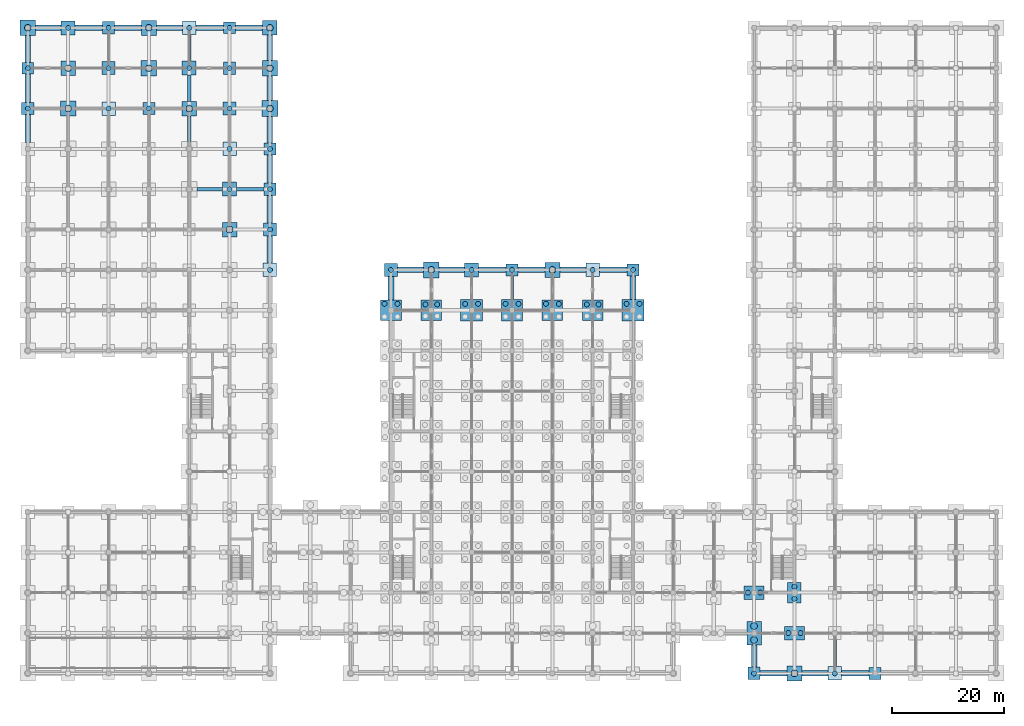
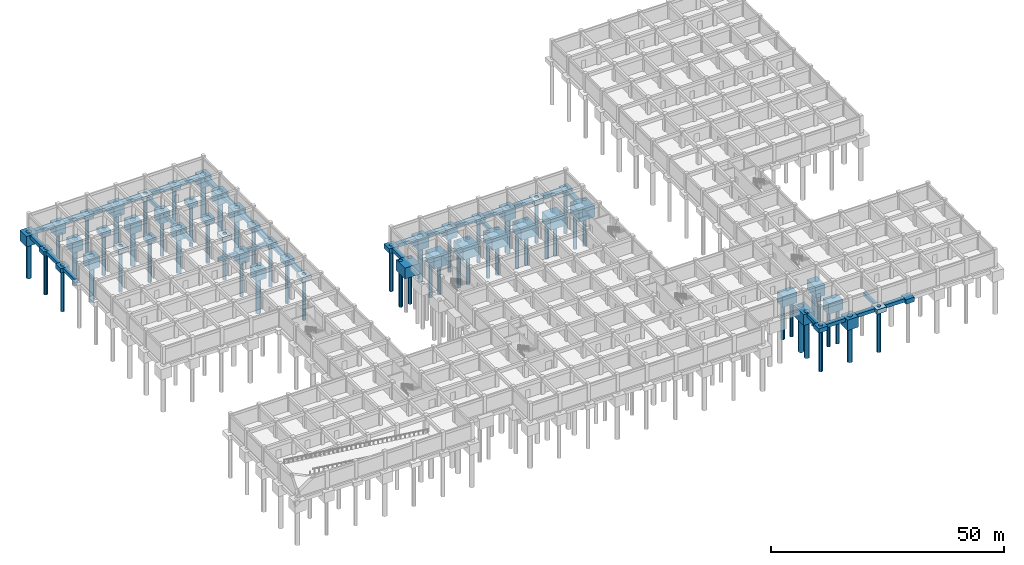
# One storey, part 5 of 25: 84 footings, 60 piles.
"""IFC4 building model written with IfcOpenShell, lengths in metres."""

from ifc_helpers import new_model, si_unit, direction, frame, origin, origin_2d, place, context, subcontext, project, spatial, rectangle, circle, extrude, material, material_profile, profile_set, type_object, element, save


model = new_model("IFC4")

# Units and contexts
model_context = context("Model", 3, precision=1e-05, world=origin(), true_north=direction((0.0, 1.0)))
body_context = subcontext(model_context, "Body", "Model", "MODEL_VIEW")
ifc_project = project(units=[si_unit("LENGTHUNIT", "METRE"), si_unit("AREAUNIT", "SQUARE_METRE"), si_unit("VOLUMEUNIT", "CUBIC_METRE"), si_unit("PLANEANGLEUNIT", "RADIAN"), si_unit("MASSUNIT", "GRAM", prefix="KILO")], contexts=[model_context])

# Site, building, storey
site_placement = place(None, origin())
site = spatial("IfcSite", under=ifc_project, at=site_placement, CompositionType="ELEMENT")
building_placement = place(site_placement, origin())
building = spatial("IfcBuilding", under=site, at=building_placement, Name="Cendaluz Park School", CompositionType="ELEMENT")
storey_placement = place(building_placement, frame((0.0, 0.0, -4.5)))
storey = spatial("IfcBuildingStorey", under=building, at=storey_placement, Name="B1", CompositionType="ELEMENT", Elevation=-4.5)

# Piles
ifc_material = material(Name="Concrete C40/50", Category="concrete")
ifc_material_profile_1 = material_profile(ifc_material, circle(Radius=0.449951171875, at=origin_2d()), Name="BP D900", Category="concrete")
ifc_profile_set_1 = profile_set([ifc_material_profile_1], Name="Concrete C40/50")
pile_type_1 = type_object("IfcPileType", Name="BP-01", PredefinedType="BORED", material=ifc_profile_set_1)
for number, where, z_axis, x_axis, name in (
    (1, (0.0, 100.800048828125, -0.5), (0.0, 0.0, -1.0), (1.0, 0.0, 0.0), "PL-B1-012"),
    (2, (0.0, 108.0, -0.5), (0.0, 0.0, -1.0), (1.0, 0.0, 0.0), "PL-B1-013"),
    (3, (7.199951171875, 115.199951171875, -0.5), (0.0, 0.0, -1.0), (1.0, 0.0, 0.0), "PL-B1-028"),
    (4, (14.39990234375, 100.800048828125, -0.5), (0.0, 0.0, -1.0), (1.0, 0.0, 0.0), "PL-B1-040"),
    (5, (14.39990234375, 108.0, -0.5), (0.0, 0.0, -1.0), (1.0, 0.0, 0.0), "PL-B1-041"),
    (6, (14.39990234375, 115.199951171875, -0.5), (0.0, 0.0, -1.0), (1.0, 0.0, 0.0), "PL-B1-042"),
    (7, (21.60009765625, 100.800048828125, -0.5), (0.0, 0.0, -1.0), (1.0, 0.0, 0.0), "PL-B1-054"),
    (8, (28.800048828125, 108.0, -0.5), (0.0, 0.0, -1.0), (1.0, 0.0, 0.0), "PL-B1-072"),
    (9, (28.800048828125, 115.199951171875, -0.5), (0.0, 0.0, -1.0), (1.0, 0.0, 0.0), "PL-B1-073"),
    (10, (36.0, 86.39990234375, -0.5), (0.0, 0.0, -1.0), (1.0, 0.0, 0.0), "PL-B1-090"),
    (11, (36.0, 93.60009765625, -0.5), (0.0, 0.0, -1.0), (1.0, 0.0, 0.0), "PL-B1-091"),
    (12, (36.0, 100.800048828125, -0.5), (0.0, 0.0, -1.0), (1.0, 0.0, 0.0), "PL-B1-092"),
    (13, (36.0, 108.0, -0.5), (0.0, 0.0, -1.0), (1.0, 0.0, 0.0), "PL-B1-093"),
    (14, (36.0, 115.199951171875, -0.5), (0.0, 0.0, -1.0), (1.0, 0.0, 0.0), "PL-B1-094"),
    (15, (43.199951171875, 72.0, -0.5), (0.0, 0.0, -1.0), (1.0, 0.0, 0.0), "PL-B1-109"),
    (16, (43.199951171875, 79.199951171875, -0.5), (0.0, 0.0, -1.0), (1.0, 0.0, 0.0), "PL-B1-110"),
    (17, (43.199951171875, 86.39990234375, -0.5), (0.0, 0.0, -1.0), (1.0, 0.0, 0.0), "PL-B1-111"),
    (18, (43.199951171875, 93.60009765625, -0.5), (0.0, 0.0, -1.0), (1.0, 0.0, 0.0), "PL-B1-112"),
    (19, (63.64990234375, 65.949951171875, -0.5), (0.0, 0.0, -1.0), (1.0, 0.0, 0.0), "PL-B1-166"),
    (20, (65.949951171875, 65.949951171875, -0.5), (0.0, 0.0, -1.0), (1.0, 0.0, 0.0), "PL-B1-167"),
    (21, (64.800048828125, 72.0, -0.5), (0.0, 0.0, -1.0), (1.0, 0.0, 0.0), "PL-B1-168"),
    (22, (70.949951171875, 65.85009765625, -0.5), (0.0, 0.0, -1.0), (1.0, 0.0, 0.0), "PL-B1-202"),
    (23, (73.050048828125, 65.85009765625, -0.5), (0.0, 0.0, -1.0), (1.0, 0.0, 0.0), "PL-B1-203"),
    (24, (78.050048828125, 65.949951171875, -0.5), (0.0, 0.0, -1.0), (1.0, 0.0, 0.0), "PL-B1-238"),
    (25, (80.35009765625, 65.949951171875, -0.5), (0.0, 0.0, -1.0), (1.0, 0.0, 0.0), "PL-B1-239"),
    (26, (79.199951171875, 72.0, -0.5), (0.0, 0.0, -1.0), (1.0, 0.0, 0.0), "PL-B1-240"),
    (27, (85.25, 65.949951171875, -0.5), (0.0, 0.0, -1.0), (1.0, 0.0, 0.0), "PL-B1-274"),
    (28, (87.550048828125, 65.949951171875, -0.5), (0.0, 0.0, -1.0), (1.0, 0.0, 0.0), "PL-B1-275"),
    (29, (86.39990234375, 72.0, -0.5), (0.0, 0.0, -1.0), (1.0, 0.0, 0.0), "PL-B1-276"),
    (30, (92.449951171875, 65.949951171875, -0.5), (0.0, 0.0, -1.0), (1.0, 0.0, 0.0), "PL-B1-310"),
    (31, (94.75, 65.949951171875, -0.5), (0.0, 0.0, -1.0), (1.0, 0.0, 0.0), "PL-B1-311"),
    (32, (99.75, 65.85009765625, -0.5), (0.0, 0.0, -1.0), (1.0, 0.0, 0.0), "PL-B1-346"),
    (33, (101.85009765625, 65.85009765625, -0.5), (0.0, 0.0, -1.0), (1.0, 0.0, 0.0), "PL-B1-347"),
    (34, (100.800048828125, 72.0, -0.5), (0.0, 0.0, -1.0), (1.0, 0.0, 0.0), "PL-B1-348"),
    (35, (106.85009765625, 65.949951171875, -0.5), (0.0, 0.0, -1.0), (1.0, 0.0, 0.0), "PL-B1-382"),
    (36, (109.14990234375, 65.949951171875, -0.5), (0.0, 0.0, -1.0), (1.0, 0.0, 0.0), "PL-B1-383"),
    (37, (108.0, 72.0, -0.5), (0.0, 0.0, -1.0), (1.0, 0.0, 0.0), "PL-B1-384"),
    (38, (129.60009765625, 0.0, -0.5), (0.0, 0.0, -1.0), (1.0, 0.0, 0.0), "PL-B1-402"),
    (39, (128.5, 14.39990234375, -0.5), (0.0, 0.0, -1.0), (1.0, 0.0, 0.0), "PL-B1-405"),
    (40, (130.699951171875, 14.39990234375, -0.5), (0.0, 0.0, -1.0), (1.0, 0.0, 0.0), "PL-B1-406"),
    (41, (135.699951171875, 7.199951171875, -0.5), (0.0, 0.0, -1.0), (1.0, 0.0, 0.0), "PL-B1-424"),
    (42, (137.89990234375, 7.199951171875, -0.5), (0.0, 0.0, -1.0), (1.0, 0.0, 0.0), "PL-B1-425"),
    (43, (136.800048828125, 13.300048828125, -0.5), (0.0, 0.0, -1.0), (1.0, 0.0, 0.0), "PL-B1-426"),
    (44, (136.800048828125, 15.5, -0.5), (0.0, 0.0, -1.0), (1.0, 0.0, 0.0), "PL-B1-427"),
    (45, (144.0, 0.0, -0.5), (0.0, 0.0, -1.0), (1.0, 0.0, 0.0), "PL-B1-444"),
):
    element("IfcPile", number, at=place(storey_placement, frame(where, z_axis=z_axis, x_axis=x_axis)), inside=storey, type_object=pile_type_1, Name=name, PredefinedType="BORED", context=body_context, shape_type="SweptSolid", body=[
        extrude(circle(Radius=0.449951171875, at=origin_2d()), origin(), (0.0, 0.0, 1.0), 12.0),
    ])
ifc_material_profile_2 = material_profile(ifc_material, circle(Radius=0.60009765625, at=origin_2d()), Name="BP D1200", Category="concrete")
ifc_profile_set_2 = profile_set([ifc_material_profile_2], Name="Concrete C40/50")
pile_type_2 = type_object("IfcPileType", Name="BP-02", PredefinedType="BORED", material=ifc_profile_set_2)
for number, where, z_axis, x_axis, name in (
    (46, (0.0, 115.199951171875, -0.5), (0.0, 0.0, -1.0), (1.0, 0.0, 0.0), "PL-B1-014"),
    (47, (7.199951171875, 100.800048828125, -0.5), (0.0, 0.0, -1.0), (1.0, 0.0, 0.0), "PL-B1-026"),
    (48, (7.199951171875, 108.0, -0.5), (0.0, 0.0, -1.0), (1.0, 0.0, 0.0), "PL-B1-027"),
    (49, (21.60009765625, 108.0, -0.5), (0.0, 0.0, -1.0), (1.0, 0.0, 0.0), "PL-B1-055"),
    (50, (21.60009765625, 115.199951171875, -0.5), (0.0, 0.0, -1.0), (1.0, 0.0, 0.0), "PL-B1-056"),
    (51, (28.800048828125, 100.800048828125, -0.5), (0.0, 0.0, -1.0), (1.0, 0.0, 0.0), "PL-B1-071"),
    (52, (36.0, 79.199951171875, -0.5), (0.0, 0.0, -1.0), (1.0, 0.0, 0.0), "PL-B1-089"),
    (53, (43.199951171875, 100.800048828125, -0.5), (0.0, 0.0, -1.0), (1.0, 0.0, 0.0), "PL-B1-113"),
    (54, (43.199951171875, 108.0, -0.5), (0.0, 0.0, -1.0), (1.0, 0.0, 0.0), "PL-B1-114"),
    (55, (43.199951171875, 115.199951171875, -0.5), (0.0, 0.0, -1.0), (1.0, 0.0, 0.0), "PL-B1-115"),
    (56, (72.0, 72.0, -0.5), (0.0, 0.0, -1.0), (1.0, 0.0, 0.0), "PL-B1-204"),
    (57, (93.60009765625, 72.0, -0.5), (0.0, 0.0, -1.0), (1.0, 0.0, 0.0), "PL-B1-312"),
    (58, (129.60009765625, 5.949951171875, -0.5), (0.0, 0.0, -1.0), (1.0, 0.0, 0.0), "PL-B1-403"),
    (59, (129.60009765625, 8.449951171875, -0.5), (0.0, 0.0, -1.0), (1.0, 0.0, 0.0), "PL-B1-404"),
    (60, (136.800048828125, 0.0, -0.5), (0.0, 0.0, -1.0), (1.0, 0.0, 0.0), "PL-B1-423"),
):
    element("IfcPile", number, at=place(storey_placement, frame(where, z_axis=z_axis, x_axis=x_axis)), inside=storey, type_object=pile_type_2, Name=name, PredefinedType="BORED", context=body_context, shape_type="SweptSolid", body=[
        extrude(circle(Radius=0.60009765625, at=origin_2d()), origin(), (0.0, 0.0, 1.0), 12.0),
    ])

# Footings
footing_type_1 = type_object("IfcFootingType", Name="FB-X455", PredefinedType="FOOTING_BEAM", material=ifc_material)
footing_1_placement = place(storey_placement, frame((32.47509765625, 86.39990234375, -1.39990234375), z_axis=(0.0, 0.0, 1.0), x_axis=(1.0, 0.0, 0.0)))
element("IfcFooting", 61, at=footing_1_placement, inside=storey, type_object=footing_type_1, Name="FT-B1-333", PredefinedType="FOOTING_BEAM", context=body_context, shape_type="SweptSolid", body=[
    extrude(rectangle(XDim=4.550048828125, YDim=0.60009765625, at=origin_2d()), origin(), (0.0, 0.0, 1.0), 0.89990234375),
])
footing_type_2 = type_object("IfcFootingType", Name="FB-X485", PredefinedType="FOOTING_BEAM", material=ifc_material)
footing_2_placement = place(storey_placement, frame((39.675048828125, 86.39990234375, -1.39990234375), z_axis=(0.0, 0.0, 1.0), x_axis=(1.0, 0.0, 0.0)))
element("IfcFooting", 62, at=footing_2_placement, inside=storey, type_object=footing_type_2, Name="FT-B1-338", PredefinedType="FOOTING_BEAM", context=body_context, shape_type="SweptSolid", body=[
    extrude(rectangle(XDim=4.85009765625, YDim=0.60009765625, at=origin_2d()), origin(), (0.0, 0.0, 1.0), 0.89990234375),
])
footing_type_3 = type_object("IfcFootingType", Name="FB-Y420", PredefinedType="FOOTING_BEAM", material=ifc_material)
footing_3_placement = place(storey_placement, frame((86.39990234375, 68.800048828125, -1.39990234375), z_axis=(0.0, 0.0, 1.0), x_axis=(1.0, 0.0, 0.0)))
element("IfcFooting", 63, at=footing_3_placement, inside=storey, type_object=footing_type_3, Name="FT-B1-466", PredefinedType="FOOTING_BEAM", context=body_context, shape_type="SweptSolid", body=[
    extrude(rectangle(XDim=0.60009765625, YDim=4.199951171875, at=origin_2d()), origin(), (0.0, 0.0, 1.0), 0.89990234375),
])
footing_type_4 = type_object("IfcFootingType", Name="FB-Y455", PredefinedType="FOOTING_BEAM", material=ifc_material)
footing_4_placement = place(storey_placement, frame((28.800048828125, 97.22509765625, -1.39990234375), z_axis=(0.0, 0.0, 1.0), x_axis=(1.0, 0.0, 0.0)))
element("IfcFooting", 64, at=footing_4_placement, inside=storey, type_object=footing_type_4, Name="FT-B1-431", PredefinedType="FOOTING_BEAM", context=body_context, shape_type="SweptSolid", body=[
    extrude(rectangle(XDim=0.60009765625, YDim=4.550048828125, at=origin_2d()), origin(), (0.0, 0.0, 1.0), 0.89990234375),
])
footing_type_5 = type_object("IfcFootingType", Name="FB-Y465", PredefinedType="FOOTING_BEAM", material=ifc_material)
footing_5_placement = place(storey_placement, frame((28.800048828125, 104.425048828125, -1.39990234375), z_axis=(0.0, 0.0, 1.0), x_axis=(1.0, 0.0, 0.0)))
element("IfcFooting", 65, at=footing_5_placement, inside=storey, type_object=footing_type_5, Name="FT-B1-432", PredefinedType="FOOTING_BEAM", context=body_context, shape_type="SweptSolid", body=[
    extrude(rectangle(XDim=0.60009765625, YDim=4.64990234375, at=origin_2d()), origin(), (0.0, 0.0, 1.0), 0.89990234375),
])
footing_type_6 = type_object("IfcFootingType", Name="FB-Y475", PredefinedType="FOOTING_BEAM", material=ifc_material)
footing_6_placement = place(storey_placement, frame((28.800048828125, 111.625, -1.39990234375), z_axis=(0.0, 0.0, 1.0), x_axis=(1.0, 0.0, 0.0)))
element("IfcFooting", 66, at=footing_6_placement, inside=storey, type_object=footing_type_6, Name="FT-B1-433", PredefinedType="FOOTING_BEAM", context=body_context, shape_type="SweptSolid", body=[
    extrude(rectangle(XDim=0.60009765625, YDim=4.75, at=origin_2d()), origin(), (0.0, 0.0, 1.0), 0.89990234375),
])
footing_type_7 = type_object("IfcFootingType", Name="FB-Y485", PredefinedType="FOOTING_BEAM", material=ifc_material)
footing_7_placement = place(storey_placement, frame((144.0, 3.625, -1.39990234375), z_axis=(0.0, 0.0, 1.0), x_axis=(1.0, 0.0, 0.0)))
element("IfcFooting", 67, at=footing_7_placement, inside=storey, type_object=footing_type_7, Name="FT-B1-490", PredefinedType="FOOTING_BEAM", context=body_context, shape_type="SweptSolid", body=[
    extrude(rectangle(XDim=0.60009765625, YDim=4.85009765625, at=origin_2d()), origin(), (0.0, 0.0, 1.0), 0.89990234375),
])
footing_type_8 = type_object("IfcFootingType", Name="PC-01", PredefinedType="PILE_CAP", material=ifc_material)
for number, where, z_axis, x_axis, name in (
    (68, (79.199951171875, 64.800048828125, -3.4501953125), (0.0, 0.0, 1.0), (1.0, 0.0, 0.0), "FT-B1-148"),
    (69, (108.0, 64.800048828125, -3.4501953125), (0.0, 0.0, 1.0), (1.0, 0.0, 0.0), "FT-B1-192"),
):
    element("IfcFooting", number, at=place(storey_placement, frame(where, z_axis=z_axis, x_axis=x_axis)), inside=storey, type_object=footing_type_8, Name=name, PredefinedType="PILE_CAP", context=body_context, shape_type="SweptSolid", body=[
        extrude(rectangle(XDim=3.89990234375, YDim=3.89990234375, at=origin_2d()), origin(), (0.0, 0.0, 1.0), 2.949951171875),
    ])
footing_type_9 = type_object("IfcFootingType", Name="PC-02", PredefinedType="PILE_CAP", material=ifc_material)
footing_8_placement = place(storey_placement, frame((86.39990234375, 64.800048828125, -3.39990234375), z_axis=(0.0, 0.0, 1.0), x_axis=(1.0, 0.0, 0.0)))
element("IfcFooting", 70, at=footing_8_placement, inside=storey, type_object=footing_type_9, Name="FT-B1-159", PredefinedType="PILE_CAP", context=body_context, shape_type="SweptSolid", body=[
    extrude(rectangle(XDim=3.800048828125, YDim=3.800048828125, at=origin_2d()), origin(), (0.0, 0.0, 1.0), 2.89990234375),
])
footing_type_10 = type_object("IfcFootingType", Name="PC-03", PredefinedType="PILE_CAP", material=ifc_material)
for number, where, z_axis, x_axis, name in (
    (71, (64.800048828125, 64.800048828125, -3.35009765625), (0.0, 0.0, 1.0), (1.0, 0.0, 0.0), "FT-B1-126"),
    (72, (93.60009765625, 64.800048828125, -3.35009765625), (0.0, 0.0, 1.0), (1.0, 0.0, 0.0), "FT-B1-170"),
):
    element("IfcFooting", number, at=place(storey_placement, frame(where, z_axis=z_axis, x_axis=x_axis)), inside=storey, type_object=footing_type_10, Name=name, PredefinedType="PILE_CAP", context=body_context, shape_type="SweptSolid", body=[
        extrude(rectangle(XDim=3.699951171875, YDim=3.699951171875, at=origin_2d()), origin(), (0.0, 0.0, 1.0), 2.85009765625),
    ])
footing_type_11 = type_object("IfcFootingType", Name="PC-04", PredefinedType="PILE_CAP", material=ifc_material)
for number, where, z_axis, x_axis, name in (
    (73, (72.0, 64.800048828125, -3.2998046875), (0.0, 0.0, 1.0), (1.0, 0.0, 0.0), "FT-B1-137"),
    (74, (100.800048828125, 64.800048828125, -3.2998046875), (0.0, 0.0, 1.0), (1.0, 0.0, 0.0), "FT-B1-181"),
):
    element("IfcFooting", number, at=place(storey_placement, frame(where, z_axis=z_axis, x_axis=x_axis)), inside=storey, type_object=footing_type_11, Name=name, PredefinedType="PILE_CAP", context=body_context, shape_type="SweptSolid", body=[
        extrude(rectangle(XDim=3.60009765625, YDim=3.60009765625, at=origin_2d()), origin(), (0.0, 0.0, 1.0), 2.800048828125),
    ])
footing_type_12 = type_object("IfcFootingType", Name="PC-05", PredefinedType="PILE_CAP", material=ifc_material)
for number, where, z_axis, x_axis, name in (
    (75, (129.60009765625, 14.39990234375, -3.2998046875), (0.0, 0.0, 1.0), (1.0, 0.0, 0.0), "FT-B1-205"),
    (76, (136.800048828125, 7.199951171875, -3.2998046875), (0.0, 0.0, 1.0), (1.0, 0.0, 0.0), "FT-B1-221"),
):
    element("IfcFooting", number, at=place(storey_placement, frame(where, z_axis=z_axis, x_axis=x_axis)), inside=storey, type_object=footing_type_12, Name=name, PredefinedType="PILE_CAP", context=body_context, shape_type="SweptSolid", body=[
        extrude(rectangle(XDim=3.60009765625, YDim=2.39990234375, at=origin_2d()), origin(), (0.0, 0.0, 1.0), 2.800048828125),
    ])
footing_type_13 = type_object("IfcFootingType", Name="PC-06", PredefinedType="PILE_CAP", material=ifc_material)
footing_9_placement = place(storey_placement, frame((136.800048828125, 14.39990234375, -3.2998046875), z_axis=(0.0, 0.0, 1.0), x_axis=(1.0, 0.0, 0.0)))
element("IfcFooting", 77, at=footing_9_placement, inside=storey, type_object=footing_type_13, Name="FT-B1-222", PredefinedType="PILE_CAP", context=body_context, shape_type="SweptSolid", body=[
    extrude(rectangle(XDim=2.39990234375, YDim=3.60009765625, at=origin_2d()), origin(), (0.0, 0.0, 1.0), 2.800048828125),
])
footing_type_14 = type_object("IfcFootingType", Name="PC-08", PredefinedType="PILE_CAP", material=ifc_material)
footing_10_placement = place(storey_placement, frame((129.60009765625, 7.199951171875, -3.35009765625), z_axis=(0.0, 0.0, 1.0), x_axis=(1.0, 0.0, 0.0)))
element("IfcFooting", 78, at=footing_10_placement, inside=storey, type_object=footing_type_14, Name="FT-B1-204", PredefinedType="PILE_CAP", context=body_context, shape_type="SweptSolid", body=[
    extrude(rectangle(XDim=2.60009765625, YDim=4.199951171875, at=origin_2d()), origin(), (0.0, 0.0, 1.0), 2.85009765625),
])
footing_type_15 = type_object("IfcFootingType", Name="PC-09", PredefinedType="PILE_CAP", material=ifc_material)
for number, where, z_axis, x_axis, name in (
    (79, (0.0, 115.199951171875, -3.25), (0.0, 0.0, 1.0), (1.0, 0.0, 0.0), "FT-B1-014"),
    (80, (21.60009765625, 108.0, -3.25), (0.0, 0.0, 1.0), (1.0, 0.0, 0.0), "FT-B1-055"),
    (81, (43.199951171875, 100.800048828125, -3.25), (0.0, 0.0, 1.0), (1.0, 0.0, 0.0), "FT-B1-105"),
    (82, (72.0, 72.0, -3.25), (0.0, 0.0, 1.0), (1.0, 0.0, 0.0), "FT-B1-138"),
):
    element("IfcFooting", number, at=place(storey_placement, frame(where, z_axis=z_axis, x_axis=x_axis)), inside=storey, type_object=footing_type_15, Name=name, PredefinedType="PILE_CAP", context=body_context, shape_type="SweptSolid", body=[
        extrude(rectangle(XDim=2.800048828125, YDim=2.800048828125, at=origin_2d()), origin(), (0.0, 0.0, 1.0), 2.75),
    ])
footing_type_16 = type_object("IfcFootingType", Name="PC-10", PredefinedType="PILE_CAP", material=ifc_material)
for number, where, z_axis, x_axis, name in (
    (83, (7.199951171875, 100.800048828125, -3.25), (0.0, 0.0, 1.0), (1.0, 0.0, 0.0), "FT-B1-026"),
    (84, (21.60009765625, 115.199951171875, -3.25), (0.0, 0.0, 1.0), (1.0, 0.0, 0.0), "FT-B1-056"),
    (85, (43.199951171875, 108.0, -3.25), (0.0, 0.0, 1.0), (1.0, 0.0, 0.0), "FT-B1-106"),
    (86, (93.60009765625, 72.0, -3.25), (0.0, 0.0, 1.0), (1.0, 0.0, 0.0), "FT-B1-171"),
    (87, (136.800048828125, 0.0, -3.25), (0.0, 0.0, 1.0), (1.0, 0.0, 0.0), "FT-B1-220"),
):
    element("IfcFooting", number, at=place(storey_placement, frame(where, z_axis=z_axis, x_axis=x_axis)), inside=storey, type_object=footing_type_16, Name=name, PredefinedType="PILE_CAP", context=body_context, shape_type="SweptSolid", body=[
        extrude(rectangle(XDim=2.699951171875, YDim=2.699951171875, at=origin_2d()), origin(), (0.0, 0.0, 1.0), 2.75),
    ])
footing_type_17 = type_object("IfcFootingType", Name="PC-11", PredefinedType="PILE_CAP", material=ifc_material)
for number, where, z_axis, x_axis, name in (
    (88, (7.199951171875, 108.0, -3.2001953125), (0.0, 0.0, 1.0), (1.0, 0.0, 0.0), "FT-B1-027"),
    (89, (28.800048828125, 100.800048828125, -3.2001953125), (0.0, 0.0, 1.0), (1.0, 0.0, 0.0), "FT-B1-071"),
    (90, (36.0, 79.199951171875, -3.2001953125), (0.0, 0.0, 1.0), (1.0, 0.0, 0.0), "FT-B1-085"),
    (91, (43.199951171875, 115.199951171875, -3.2001953125), (0.0, 0.0, 1.0), (1.0, 0.0, 0.0), "FT-B1-107"),
):
    element("IfcFooting", number, at=place(storey_placement, frame(where, z_axis=z_axis, x_axis=x_axis)), inside=storey, type_object=footing_type_17, Name=name, PredefinedType="PILE_CAP", context=body_context, shape_type="SweptSolid", body=[
        extrude(rectangle(XDim=2.60009765625, YDim=2.60009765625, at=origin_2d()), origin(), (0.0, 0.0, 1.0), 2.699951171875),
    ])
footing_type_18 = type_object("IfcFootingType", Name="PC-12", PredefinedType="PILE_CAP", material=ifc_material)
for number, where, z_axis, x_axis, name in (
    (92, (7.199951171875, 115.199951171875, -3.2001953125), (0.0, 0.0, 1.0), (1.0, 0.0, 0.0), "FT-B1-028"),
    (93, (28.800048828125, 108.0, -3.2001953125), (0.0, 0.0, 1.0), (1.0, 0.0, 0.0), "FT-B1-072"),
    (94, (36.0, 86.39990234375, -3.2001953125), (0.0, 0.0, 1.0), (1.0, 0.0, 0.0), "FT-B1-086"),
    (95, (79.199951171875, 72.0, -3.2001953125), (0.0, 0.0, 1.0), (1.0, 0.0, 0.0), "FT-B1-149"),
):
    element("IfcFooting", number, at=place(storey_placement, frame(where, z_axis=z_axis, x_axis=x_axis)), inside=storey, type_object=footing_type_18, Name=name, PredefinedType="PILE_CAP", context=body_context, shape_type="SweptSolid", body=[
        extrude(rectangle(XDim=2.5, YDim=2.5, at=origin_2d()), origin(), (0.0, 0.0, 1.0), 2.699951171875),
    ])
footing_type_19 = type_object("IfcFootingType", Name="PC-13", PredefinedType="PILE_CAP", material=ifc_material)
for number, where, z_axis, x_axis, name in (
    (96, (14.39990234375, 100.800048828125, -1.7001953125), (0.0, 0.0, 1.0), (1.0, 0.0, 0.0), "FT-B1-040"),
    (97, (28.800048828125, 115.199951171875, -1.7001953125), (0.0, 0.0, 1.0), (1.0, 0.0, 0.0), "FT-B1-073"),
    (98, (36.0, 93.60009765625, -1.7001953125), (0.0, 0.0, 1.0), (1.0, 0.0, 0.0), "FT-B1-087"),
    (99, (43.199951171875, 72.0, -1.7001953125), (0.0, 0.0, 1.0), (1.0, 0.0, 0.0), "FT-B1-101"),
    (100, (100.800048828125, 72.0, -1.7001953125), (0.0, 0.0, 1.0), (1.0, 0.0, 0.0), "FT-B1-182"),
    (101, (144.0, 0.0, -1.7001953125), (0.0, 0.0, 1.0), (1.0, 0.0, 0.0), "FT-B1-237"),
):
    element("IfcFooting", number, at=place(storey_placement, frame(where, z_axis=z_axis, x_axis=x_axis)), inside=storey, type_object=footing_type_19, Name=name, PredefinedType="PILE_CAP", context=body_context, shape_type="SweptSolid", body=[
        extrude(rectangle(XDim=2.39990234375, YDim=2.39990234375, at=origin_2d()), origin(), (0.0, 0.0, 1.0), 1.199951171875),
    ])
footing_type_20 = type_object("IfcFootingType", Name="PC-14", PredefinedType="PILE_CAP", material=ifc_material)
for number, where, z_axis, x_axis, name in (
    (102, (14.39990234375, 108.0, -1.7001953125), (0.0, 0.0, 1.0), (1.0, 0.0, 0.0), "FT-B1-041"),
    (103, (36.0, 100.800048828125, -1.7001953125), (0.0, 0.0, 1.0), (1.0, 0.0, 0.0), "FT-B1-088"),
    (104, (43.199951171875, 79.199951171875, -1.7001953125), (0.0, 0.0, 1.0), (1.0, 0.0, 0.0), "FT-B1-102"),
    (105, (64.800048828125, 72.0, -1.7001953125), (0.0, 0.0, 1.0), (1.0, 0.0, 0.0), "FT-B1-127"),
):
    element("IfcFooting", number, at=place(storey_placement, frame(where, z_axis=z_axis, x_axis=x_axis)), inside=storey, type_object=footing_type_20, Name=name, PredefinedType="PILE_CAP", context=body_context, shape_type="SweptSolid", body=[
        extrude(rectangle(XDim=2.300048828125, YDim=2.300048828125, at=origin_2d()), origin(), (0.0, 0.0, 1.0), 1.199951171875),
    ])
footing_type_21 = type_object("IfcFootingType", Name="PC-15", PredefinedType="PILE_CAP", material=ifc_material)
for number, where, z_axis, x_axis, name in (
    (106, (0.0, 100.800048828125, -1.64990234375), (0.0, 0.0, 1.0), (1.0, 0.0, 0.0), "FT-B1-012"),
    (107, (14.39990234375, 115.199951171875, -1.64990234375), (0.0, 0.0, 1.0), (1.0, 0.0, 0.0), "FT-B1-042"),
    (108, (36.0, 108.0, -1.64990234375), (0.0, 0.0, 1.0), (1.0, 0.0, 0.0), "FT-B1-089"),
    (109, (43.199951171875, 86.39990234375, -1.64990234375), (0.0, 0.0, 1.0), (1.0, 0.0, 0.0), "FT-B1-103"),
    (110, (86.39990234375, 72.0, -1.64990234375), (0.0, 0.0, 1.0), (1.0, 0.0, 0.0), "FT-B1-160"),
    (111, (129.60009765625, 0.0, -1.64990234375), (0.0, 0.0, 1.0), (1.0, 0.0, 0.0), "FT-B1-203"),
):
    element("IfcFooting", number, at=place(storey_placement, frame(where, z_axis=z_axis, x_axis=x_axis)), inside=storey, type_object=footing_type_21, Name=name, PredefinedType="PILE_CAP", context=body_context, shape_type="SweptSolid", body=[
        extrude(rectangle(XDim=2.199951171875, YDim=2.199951171875, at=origin_2d()), origin(), (0.0, 0.0, 1.0), 1.14990234375),
    ])
footing_type_22 = type_object("IfcFootingType", Name="PC-16", PredefinedType="PILE_CAP", material=ifc_material)
for number, where, z_axis, x_axis, name in (
    (112, (0.0, 108.0, -1.64990234375), (0.0, 0.0, 1.0), (1.0, 0.0, 0.0), "FT-B1-013"),
    (113, (21.60009765625, 100.800048828125, -1.64990234375), (0.0, 0.0, 1.0), (1.0, 0.0, 0.0), "FT-B1-054"),
    (114, (36.0, 115.199951171875, -1.64990234375), (0.0, 0.0, 1.0), (1.0, 0.0, 0.0), "FT-B1-090"),
    (115, (43.199951171875, 93.60009765625, -1.64990234375), (0.0, 0.0, 1.0), (1.0, 0.0, 0.0), "FT-B1-104"),
    (116, (108.0, 72.0, -1.64990234375), (0.0, 0.0, 1.0), (1.0, 0.0, 0.0), "FT-B1-193"),
    (117, (151.199951171875, 0.0, -1.64990234375), (0.0, 0.0, 1.0), (1.0, 0.0, 0.0), "FT-B1-254"),
):
    element("IfcFooting", number, at=place(storey_placement, frame(where, z_axis=z_axis, x_axis=x_axis)), inside=storey, type_object=footing_type_22, Name=name, PredefinedType="PILE_CAP", context=body_context, shape_type="SweptSolid", body=[
        extrude(rectangle(XDim=2.10009765625, YDim=2.10009765625, at=origin_2d()), origin(), (0.0, 0.0, 1.0), 1.14990234375),
    ])
footing_type_23 = type_object("IfcFootingType", Name="SF-X455", PredefinedType="STRIP_FOOTING", material=ifc_material)
for number, where, z_axis, x_axis, name in (
    (118, (3.675048828125, 115.199951171875, -1.39990234375), (0.0, 0.0, 1.0), (1.0, 0.0, 0.0), "FT-B1-314"),
    (119, (75.675048828125, 72.0, -1.39990234375), (0.0, 0.0, 1.0), (1.0, 0.0, 0.0), "FT-B1-353"),
):
    element("IfcFooting", number, at=place(storey_placement, frame(where, z_axis=z_axis, x_axis=x_axis)), inside=storey, type_object=footing_type_23, Name=name, PredefinedType="STRIP_FOOTING", context=body_context, shape_type="SweptSolid", body=[
        extrude(rectangle(XDim=4.550048828125, YDim=1.0, at=origin_2d()), origin(), (0.0, 0.0, 1.0), 0.89990234375),
    ])
footing_type_24 = type_object("IfcFootingType", Name="SF-X465", PredefinedType="STRIP_FOOTING", material=ifc_material)
for number, where, z_axis, x_axis, name in (
    (120, (25.27490234375, 115.199951171875, -1.39990234375), (0.0, 0.0, 1.0), (1.0, 0.0, 0.0), "FT-B1-329"),
    (121, (68.27490234375, 72.0, -1.39990234375), (0.0, 0.0, 1.0), (1.0, 0.0, 0.0), "FT-B1-349"),
    (122, (97.27490234375, 72.0, -1.39990234375), (0.0, 0.0, 1.0), (1.0, 0.0, 0.0), "FT-B1-365"),
    (123, (140.47509765625, 0.0, -1.39990234375), (0.0, 0.0, 1.0), (1.0, 0.0, 0.0), "FT-B1-381"),
):
    element("IfcFooting", number, at=place(storey_placement, frame(where, z_axis=z_axis, x_axis=x_axis)), inside=storey, type_object=footing_type_24, Name=name, PredefinedType="STRIP_FOOTING", context=body_context, shape_type="SweptSolid", body=[
        extrude(rectangle(XDim=4.64990234375, YDim=1.0, at=origin_2d()), origin(), (0.0, 0.0, 1.0), 0.89990234375),
    ])
footing_type_25 = type_object("IfcFootingType", Name="SF-X475", PredefinedType="STRIP_FOOTING", material=ifc_material)
for number, where, z_axis, x_axis, name in (
    (124, (17.875, 115.199951171875, -1.39990234375), (0.0, 0.0, 1.0), (1.0, 0.0, 0.0), "FT-B1-324"),
    (125, (89.875, 72.0, -1.39990234375), (0.0, 0.0, 1.0), (1.0, 0.0, 0.0), "FT-B1-361"),
    (126, (133.074951171875, 0.0, -1.39990234375), (0.0, 0.0, 1.0), (1.0, 0.0, 0.0), "FT-B1-376"),
):
    element("IfcFooting", number, at=place(storey_placement, frame(where, z_axis=z_axis, x_axis=x_axis)), inside=storey, type_object=footing_type_25, Name=name, PredefinedType="STRIP_FOOTING", context=body_context, shape_type="SweptSolid", body=[
        extrude(rectangle(XDim=4.75, YDim=1.0, at=origin_2d()), origin(), (0.0, 0.0, 1.0), 0.89990234375),
    ])
footing_type_26 = type_object("IfcFootingType", Name="SF-X485", PredefinedType="STRIP_FOOTING", material=ifc_material)
for number, where, z_axis, x_axis, name in (
    (127, (10.875, 115.199951171875, -1.39990234375), (0.0, 0.0, 1.0), (1.0, 0.0, 0.0), "FT-B1-319"),
    (128, (39.47509765625, 115.199951171875, -1.39990234375), (0.0, 0.0, 1.0), (1.0, 0.0, 0.0), "FT-B1-339"),
    (129, (82.875, 72.0, -1.39990234375), (0.0, 0.0, 1.0), (1.0, 0.0, 0.0), "FT-B1-357"),
):
    element("IfcFooting", number, at=place(storey_placement, frame(where, z_axis=z_axis, x_axis=x_axis)), inside=storey, type_object=footing_type_26, Name=name, PredefinedType="STRIP_FOOTING", context=body_context, shape_type="SweptSolid", body=[
        extrude(rectangle(XDim=4.85009765625, YDim=1.0, at=origin_2d()), origin(), (0.0, 0.0, 1.0), 0.89990234375),
    ])
footing_type_27 = type_object("IfcFootingType", Name="SF-X495", PredefinedType="STRIP_FOOTING", material=ifc_material)
for number, where, z_axis, x_axis, name in (
    (130, (32.47509765625, 115.199951171875, -1.39990234375), (0.0, 0.0, 1.0), (1.0, 0.0, 0.0), "FT-B1-334"),
    (131, (104.47509765625, 72.0, -1.39990234375), (0.0, 0.0, 1.0), (1.0, 0.0, 0.0), "FT-B1-369"),
    (132, (147.675048828125, 0.0, -1.39990234375), (0.0, 0.0, 1.0), (1.0, 0.0, 0.0), "FT-B1-386"),
):
    element("IfcFooting", number, at=place(storey_placement, frame(where, z_axis=z_axis, x_axis=x_axis)), inside=storey, type_object=footing_type_27, Name=name, PredefinedType="STRIP_FOOTING", context=body_context, shape_type="SweptSolid", body=[
        extrude(rectangle(XDim=4.949951171875, YDim=1.0, at=origin_2d()), origin(), (0.0, 0.0, 1.0), 0.89990234375),
    ])
footing_type_28 = type_object("IfcFootingType", Name="SF-Y400", PredefinedType="STRIP_FOOTING", material=ifc_material)
footing_11_placement = place(storey_placement, frame((129.60009765625, 3.10009765625, -1.39990234375), z_axis=(0.0, 0.0, 1.0), x_axis=(1.0, 0.0, 0.0)))
element("IfcFooting", 133, at=footing_11_placement, inside=storey, type_object=footing_type_28, Name="FT-B1-477", PredefinedType="STRIP_FOOTING", context=body_context, shape_type="SweptSolid", body=[
    extrude(rectangle(XDim=1.0, YDim=4.0, at=origin_2d()), origin(), (0.0, 0.0, 1.0), 0.89990234375),
])
footing_type_29 = type_object("IfcFootingType", Name="SF-Y420", PredefinedType="STRIP_FOOTING", material=ifc_material)
for number, where, z_axis, x_axis, name in (
    (134, (64.800048828125, 68.75, -1.39990234375), (0.0, 0.0, 1.0), (1.0, 0.0, 0.0), "FT-B1-456"),
    (135, (108.0, 68.85009765625, -1.39990234375), (0.0, 0.0, 1.0), (1.0, 0.0, 0.0), "FT-B1-472"),
):
    element("IfcFooting", number, at=place(storey_placement, frame(where, z_axis=z_axis, x_axis=x_axis)), inside=storey, type_object=footing_type_29, Name=name, PredefinedType="STRIP_FOOTING", context=body_context, shape_type="SweptSolid", body=[
        extrude(rectangle(XDim=1.0, YDim=4.199951171875, at=origin_2d()), origin(), (0.0, 0.0, 1.0), 0.89990234375),
    ])
footing_type_30 = type_object("IfcFootingType", Name="SF-Y445", PredefinedType="STRIP_FOOTING", material=ifc_material)
footing_12_placement = place(storey_placement, frame((43.199951171875, 104.425048828125, -1.39990234375), z_axis=(0.0, 0.0, 1.0), x_axis=(1.0, 0.0, 0.0)))
element("IfcFooting", 136, at=footing_12_placement, inside=storey, type_object=footing_type_30, Name="FT-B1-445", PredefinedType="STRIP_FOOTING", context=body_context, shape_type="SweptSolid", body=[
    extrude(rectangle(XDim=1.0, YDim=4.449951171875, at=origin_2d()), origin(), (0.0, 0.0, 1.0), 0.89990234375),
])
footing_type_31 = type_object("IfcFootingType", Name="SF-Y455", PredefinedType="STRIP_FOOTING", material=ifc_material)
footing_13_placement = place(storey_placement, frame((43.199951171875, 111.625, -1.39990234375), z_axis=(0.0, 0.0, 1.0), x_axis=(1.0, 0.0, 0.0)))
element("IfcFooting", 137, at=footing_13_placement, inside=storey, type_object=footing_type_31, Name="FT-B1-446", PredefinedType="STRIP_FOOTING", context=body_context, shape_type="SweptSolid", body=[
    extrude(rectangle(XDim=1.0, YDim=4.550048828125, at=origin_2d()), origin(), (0.0, 0.0, 1.0), 0.89990234375),
])
footing_type_32 = type_object("IfcFootingType", Name="SF-Y475", PredefinedType="STRIP_FOOTING", material=ifc_material)
for number, where, z_axis, x_axis, name in (
    (138, (0.0, 111.425048828125, -1.39990234375), (0.0, 0.0, 1.0), (1.0, 0.0, 0.0), "FT-B1-417"),
    (139, (43.199951171875, 97.02490234375, -1.39990234375), (0.0, 0.0, 1.0), (1.0, 0.0, 0.0), "FT-B1-444"),
):
    element("IfcFooting", number, at=place(storey_placement, frame(where, z_axis=z_axis, x_axis=x_axis)), inside=storey, type_object=footing_type_32, Name=name, PredefinedType="STRIP_FOOTING", context=body_context, shape_type="SweptSolid", body=[
        extrude(rectangle(XDim=1.0, YDim=4.75, at=origin_2d()), origin(), (0.0, 0.0, 1.0), 0.89990234375),
    ])
footing_type_33 = type_object("IfcFootingType", Name="SF-Y485", PredefinedType="STRIP_FOOTING", material=ifc_material)
footing_14_placement = place(storey_placement, frame((43.199951171875, 75.625, -1.39990234375), z_axis=(0.0, 0.0, 1.0), x_axis=(1.0, 0.0, 0.0)))
element("IfcFooting", 140, at=footing_14_placement, inside=storey, type_object=footing_type_33, Name="FT-B1-441", PredefinedType="STRIP_FOOTING", context=body_context, shape_type="SweptSolid", body=[
    extrude(rectangle(XDim=1.0, YDim=4.85009765625, at=origin_2d()), origin(), (0.0, 0.0, 1.0), 0.89990234375),
])
footing_type_34 = type_object("IfcFootingType", Name="SF-Y495", PredefinedType="STRIP_FOOTING", material=ifc_material)
for number, where, z_axis, x_axis, name in (
    (141, (0.0, 97.22509765625, -1.39990234375), (0.0, 0.0, 1.0), (1.0, 0.0, 0.0), "FT-B1-415"),
    (142, (43.199951171875, 82.824951171875, -1.39990234375), (0.0, 0.0, 1.0), (1.0, 0.0, 0.0), "FT-B1-442"),
):
    element("IfcFooting", number, at=place(storey_placement, frame(where, z_axis=z_axis, x_axis=x_axis)), inside=storey, type_object=footing_type_34, Name=name, PredefinedType="STRIP_FOOTING", context=body_context, shape_type="SweptSolid", body=[
        extrude(rectangle(XDim=1.0, YDim=4.949951171875, at=origin_2d()), origin(), (0.0, 0.0, 1.0), 0.89990234375),
    ])
footing_type_35 = type_object("IfcFootingType", Name="SF-Y505", PredefinedType="STRIP_FOOTING", material=ifc_material)
for number, where, z_axis, x_axis, name in (
    (143, (0.0, 104.425048828125, -1.39990234375), (0.0, 0.0, 1.0), (1.0, 0.0, 0.0), "FT-B1-416"),
    (144, (43.199951171875, 90.02490234375, -1.39990234375), (0.0, 0.0, 1.0), (1.0, 0.0, 0.0), "FT-B1-443"),
):
    element("IfcFooting", number, at=place(storey_placement, frame(where, z_axis=z_axis, x_axis=x_axis)), inside=storey, type_object=footing_type_35, Name=name, PredefinedType="STRIP_FOOTING", context=body_context, shape_type="SweptSolid", body=[
        extrude(rectangle(XDim=1.0, YDim=5.050048828125, at=origin_2d()), origin(), (0.0, 0.0, 1.0), 0.89990234375),
    ])

save(model, "model.ifc")
